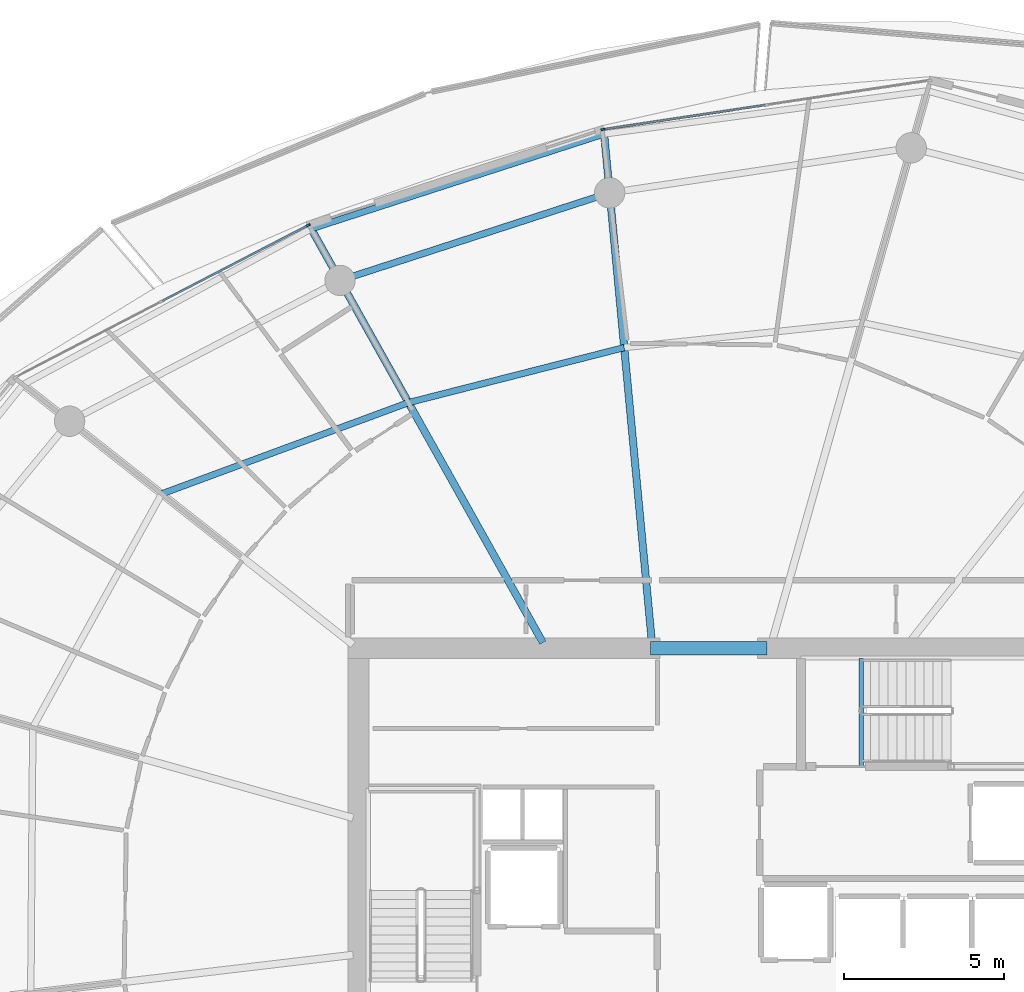
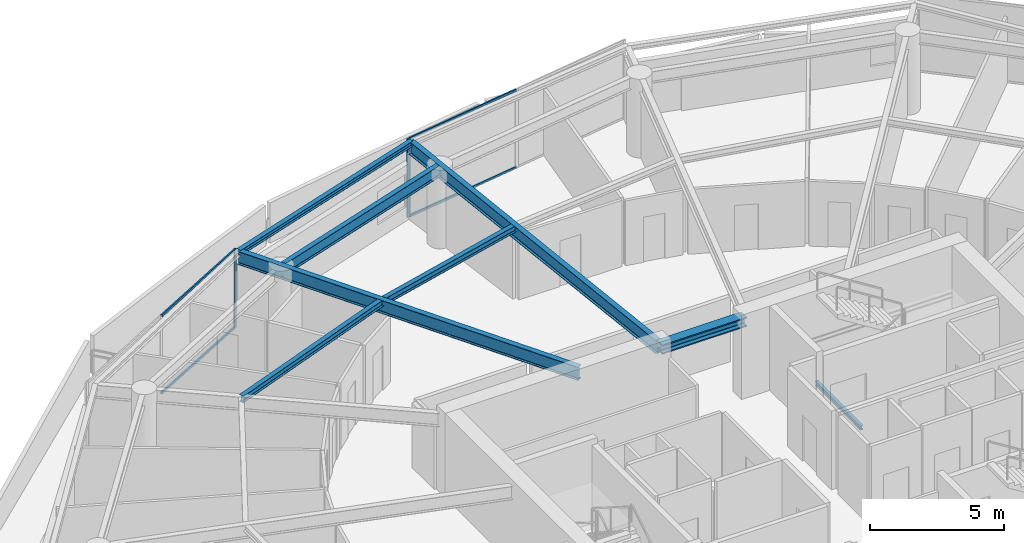
# One storey, part 13 of 30: 8 beams, 6 members, 2 elements without a shape of their own.
"""IFC4 building model written with IfcOpenShell, lengths in metres."""

from ifc_helpers import new_model, si_unit, direction, frame, origin, origin_2d, place, context, subcontext, project, spatial, rectangle, i_section, extrude, material, layer, layer_set, material_profile, profile_set, type_object, element, aggregate, save


model = new_model("IFC4")

# Units and contexts
model_context = context("Model", 3, precision=1e-05, world=origin(), true_north=direction((0.0, 1.0)))
body_context = subcontext(model_context, "Body", "Model", "MODEL_VIEW")
ifc_project = project(units=[si_unit("LENGTHUNIT", "METRE"), si_unit("AREAUNIT", "SQUARE_METRE"), si_unit("VOLUMEUNIT", "CUBIC_METRE"), si_unit("PLANEANGLEUNIT", "RADIAN"), si_unit("MASSUNIT", "GRAM", prefix="KILO")], contexts=[model_context])

# Site, building, storey
site_placement = place(None, origin())
site = spatial("IfcSite", under=ifc_project, at=site_placement, CompositionType="ELEMENT")
building_placement = place(site_placement, origin())
building = spatial("IfcBuilding", under=site, at=building_placement, Name="Kazma Halo Residences", CompositionType="ELEMENT")
storey_placement = place(building_placement, frame((0.0, 0.0, 244.39990234375)))
storey = spatial("IfcBuildingStorey", under=building, at=storey_placement, Name="L61", CompositionType="ELEMENT", Elevation=244.39990234375)

# Beams
ifc_material_1 = material(Name="Steel S355", Category="steel")
ifc_material_profile_1 = material_profile(ifc_material_1, i_section(OverallWidth=0.201904296875, OverallDepth=0.2470703125, WebThickness=0.00732421875, FlangeThickness=0.010986328125, FilletRadius=0.011962890625, at=origin_2d()), Name="W250x49.1")
ifc_profile_set_1 = profile_set([ifc_material_profile_1], Name="Steel S355")
beam_type_1 = type_object("IfcBeamType", Name="BM-BAL-CANT", PredefinedType="BEAM", material=ifc_profile_set_1)
beam_1_placement = place(storey_placement, frame((45.155517578125, 66.41259765625, 3.466552734375), z_axis=(-0.951357597741, -0.308088820344, 0.0), x_axis=(0.308088820344, -0.951357597741, 0.0)))
element("IfcBeam", 1, at=beam_1_placement, inside=storey, type_object=beam_type_1, Name="L61 wave-balcony tie beam 04", PredefinedType="BEAM", context=body_context, shape_type="SweptSolid", body=[
    extrude(i_section(OverallWidth=0.201904296875, OverallDepth=0.2470703125, WebThickness=0.00732421875, FlangeThickness=0.010986328125, FilletRadius=0.011962890625, at=origin_2d()), origin(), (0.0, 0.0, 1.0), 9.633544921875),
])
ifc_material_profile_2 = material_profile(ifc_material_1, i_section(OverallWidth=0.408935546875, OverallDepth=0.425048828125, WebThickness=0.03271484375, FlangeThickness=0.052490234375, FilletRadius=0.02001953125, at=origin_2d()), Name="W360x421")
ifc_profile_set_2 = profile_set([ifc_material_profile_2], Name="Steel S355")
beam_type_2 = type_object("IfcBeamType", Name="BM-CORE-W360H", PredefinedType="BEAM", material=ifc_profile_set_2)
beam_2_placement = place(storey_placement, frame((46.60009765625, 50.324951171875, 3.377685546875), z_axis=(1.0, 0.0, 0.0), x_axis=(0.0, 1.0, 0.0)))
element("IfcBeam", 2, at=beam_2_placement, inside=storey, type_object=beam_type_2, Name="L61 core coupling beam N", PredefinedType="BEAM", context=body_context, shape_type="SweptSolid", body=[
    extrude(i_section(OverallWidth=0.408935546875, OverallDepth=0.425048828125, WebThickness=0.03271484375, FlangeThickness=0.052490234375, FilletRadius=0.02001953125, at=origin_2d()), origin(), (0.0, 0.0, 1.0), 3.64990234375),
])
ifc_material_profile_3 = material_profile(ifc_material_1, i_section(OverallWidth=0.22802734375, OverallDepth=0.60791015625, WebThickness=0.01123046875, FlangeThickness=0.017333984375, FilletRadius=0.01806640625, at=origin_2d()), Name="W610x113")
ifc_profile_set_3 = profile_set([ifc_material_profile_3], Name="Steel S355")
beam_type_3 = type_object("IfcBeamType", Name="BM-RAD-W610", PredefinedType="BEAM", material=ifc_profile_set_3)
beam_3_placement = place(storey_placement, frame((46.64990234375, 50.5, 3.2861328125), z_axis=(-0.093500648044, 0.995619218786, 0.0), x_axis=(-0.995619218786, -0.093500648044, 0.0)))
element("IfcBeam", 3, at=beam_3_placement, inside=storey, type_object=beam_type_3, Name="L61 radial floor beam 04", PredefinedType="BEAM", context=body_context, shape_type="SweptSolid", body=[
    extrude(i_section(OverallWidth=0.22802734375, OverallDepth=0.60791015625, WebThickness=0.01123046875, FlangeThickness=0.017333984375, FilletRadius=0.01806640625, at=origin_2d()), origin(), (0.0, 0.0, 1.0), 15.982666015625),
])
beam_4_placement = place(storey_placement, frame((43.23974609375, 50.5, 3.2861328125), z_axis=(-0.488618902548, 0.872497316943, 0.0), x_axis=(-0.872497316943, -0.488618902548, 0.0)))
element("IfcBeam", 4, at=beam_4_placement, inside=storey, type_object=beam_type_3, Name="L61 radial floor beam 05", PredefinedType="BEAM", context=body_context, shape_type="SweptSolid", body=[
    extrude(i_section(OverallWidth=0.22802734375, OverallDepth=0.60791015625, WebThickness=0.01123046875, FlangeThickness=0.017333984375, FilletRadius=0.01806640625, at=origin_2d()), origin(), (0.0, 0.0, 1.0), 14.836181640625),
])
ifc_material_profile_4 = material_profile(ifc_material_1, i_section(OverallWidth=0.202880859375, OverallDepth=0.302978515625, WebThickness=0.007568359375, FlangeThickness=0.01318359375, FilletRadius=0.013916015625, at=origin_2d()), Name="W310x60")
ifc_profile_set_4 = profile_set([ifc_material_profile_4], Name="Steel S355")
beam_type_4 = type_object("IfcBeamType", Name="BM-SEC-W310A", PredefinedType="JOIST", material=ifc_profile_set_4)
beam_5_placement = place(storey_placement, frame((45.783203125, 59.7294921875, 3.4384765625), z_axis=(-0.968957746759, -0.2472263841, 0.0), x_axis=(0.2472263841, -0.968957746759, 0.0)))
element("IfcBeam", 5, at=beam_5_placement, inside=storey, type_object=beam_type_4, Name="L61 circumferential floor joist 04", PredefinedType="JOIST", context=body_context, shape_type="SweptSolid", body=[
    extrude(i_section(OverallWidth=0.202880859375, OverallDepth=0.302978515625, WebThickness=0.007568359375, FlangeThickness=0.01318359375, FilletRadius=0.013916015625, at=origin_2d()), origin(), (0.0, 0.0, 1.0), 6.9638671875),
])
beam_6_placement = place(storey_placement, frame((39.035400390625, 58.0078125, 3.4384765625), z_axis=(-0.937943961726, -0.346786857683, 0.0), x_axis=(0.346786857683, -0.937943961726, 0.0)))
element("IfcBeam", 6, at=beam_6_placement, inside=storey, type_object=beam_type_4, Name="L61 circumferential floor joist 05", PredefinedType="JOIST", context=body_context, shape_type="SweptSolid", body=[
    extrude(i_section(OverallWidth=0.202880859375, OverallDepth=0.302978515625, WebThickness=0.007568359375, FlangeThickness=0.01318359375, FilletRadius=0.013916015625, at=origin_2d()), origin(), (0.0, 0.0, 1.0), 8.231201171875),
])
ifc_material_profile_5 = material_profile(ifc_material_1, i_section(OverallWidth=0.208984375, OverallDepth=0.532958984375, WebThickness=0.01025390625, FlangeThickness=0.015625, FilletRadius=0.01611328125, at=origin_2d()), Name="W530x92")
ifc_profile_set_5 = profile_set([ifc_material_profile_5], Name="Steel S355")
beam_type_5 = type_object("IfcBeamType", Name="BM-SPN-W530", PredefinedType="BEAM", material=ifc_profile_set_5)
beam_7_placement = place(storey_placement, frame((45.32861328125, 64.57080078125, 3.323486328125), z_axis=(-0.951053893407, -0.309025066679, 0.0), x_axis=(0.309025066679, -0.951053893407, 0.0)))
element("IfcBeam", 7, at=beam_7_placement, inside=storey, type_object=beam_type_5, Name="L61 perimeter ring beam 04", PredefinedType="BEAM", context=body_context, shape_type="SweptSolid", body=[
    extrude(i_section(OverallWidth=0.208984375, OverallDepth=0.532958984375, WebThickness=0.01025390625, FlangeThickness=0.015625, FilletRadius=0.01611328125, at=origin_2d()), origin(), (0.0, 0.0, 1.0), 8.8681640625),
])
ifc_material_profile_6 = material_profile(ifc_material_1, i_section(OverallWidth=0.133056640625, OverallDepth=0.20703125, WebThickness=0.005859375, FlangeThickness=0.00830078125, FilletRadius=0.010009765625, at=origin_2d()), Name="W200x26.6")
ifc_profile_set_6 = profile_set([ifc_material_profile_6], Name="Steel S355")
beam_type_6 = type_object("IfcBeamType", Name="BM-TRIM-W200", PredefinedType="BEAM", material=ifc_profile_set_6)
beam_8_placement = place(storey_placement, frame((53.199951171875, 46.6201171875, -0.369873046875), z_axis=(0.0, 1.0, 0.0), x_axis=(-1.0, 0.0, 0.0)))
element("IfcBeam", 8, at=beam_8_placement, inside=storey, type_object=beam_type_6, Name="L61 ST-02 floor landing support beam", PredefinedType="BEAM", context=body_context, shape_type="SweptSolid", body=[
    extrude(i_section(OverallWidth=0.133056640625, OverallDepth=0.20703125, WebThickness=0.005859375, FlangeThickness=0.00830078125, FilletRadius=0.010009765625, at=origin_2d()), origin(), (0.0, 0.0, 1.0), 3.3798828125),
])

# Curtain wall, member
ifc_material_2 = material(Name="Aluminium AW-6063 T6 and Triple-Silver Low-E Glass", Category="aluminium")
ifc_layer = layer(ifc_material_2, 0.139892578125)
ifc_layer_set = layer_set([ifc_layer], Name="Aluminium AW-6063 T6 and Triple-Silver Low-E Glass")
curtain_wall_type = type_object("IfcCurtainWallType", Name="CW-SYS-5", PredefinedType="NOTDEFINED", material=ifc_layer_set)
curtain_wall_1_placement = place(storey_placement, origin())
curtain_wall_1 = element("IfcCurtainWall", 9, at=curtain_wall_1_placement, inside=storey, type_object=curtain_wall_type, Name="L61 unitised curtain wall B03", PredefinedType="NOTDEFINED")
ifc_material_3 = material(Name="Aluminium AW-6063 T6", Category="aluminium")
ifc_material_profile_7 = material_profile(ifc_material_3, rectangle(XDim=0.06005859375, YDim=0.139892578125, at=origin_2d()), Name="CWM-60x140")
ifc_profile_set_7 = profile_set([ifc_material_profile_7], Name="Aluminium AW-6063 T6")
member_type_1 = type_object("IfcMemberType", Name="CW-SYS-5-MUL", PredefinedType="MULLION", material=ifc_profile_set_7)
member_1_placement = place(storey_placement, frame((45.124267578125, 66.552734375, 0.0), z_axis=(0.0, 0.0, 1.0), x_axis=(0.148697080374, -0.988882792998, 0.0)))
member_1 = element("IfcMember", 10, at=member_1_placement, type_object=member_type_1, Name="CWS-5 mullion 3", PredefinedType="MULLION", context=body_context, shape_type="SweptSolid", body=[
    extrude(rectangle(XDim=0.06005859375, YDim=0.139892578125, at=origin_2d()), origin(), (0.0, 0.0, 1.0), 3.590087890625),
])

curtain_wall_2_placement = place(storey_placement, origin())
curtain_wall_2 = element("IfcCurtainWall", 11, at=curtain_wall_2_placement, inside=storey, type_object=curtain_wall_type, Name="L61 unitised curtain wall B05", PredefinedType="NOTDEFINED")
member_2_placement = place(storey_placement, frame((35.894775390625, 63.553955078125, 0.0), z_axis=(0.0, 0.0, 1.0), x_axis=(0.460960760804, -0.887420518694, 0.0)))
member_2 = element("IfcMember", 12, at=member_2_placement, type_object=member_type_1, Name="CWS-5 mullion 1", PredefinedType="MULLION", context=body_context, shape_type="SweptSolid", body=[
    extrude(rectangle(XDim=0.06005859375, YDim=0.139892578125, at=origin_2d()), origin(), (0.0, 0.0, 1.0), 3.590087890625),
])

# Member
ifc_material_profile_8 = material_profile(ifc_material_3, rectangle(XDim=0.06005859375, YDim=0.10498046875, at=origin_2d()), Name="CWT-60x105")
ifc_profile_set_8 = profile_set([ifc_material_profile_8], Name="Aluminium AW-6063 T6")
member_type_2 = type_object("IfcMemberType", Name="CW-SYS-5-TRN", PredefinedType="USERDEFINED", material=ifc_profile_set_8)
member_3_placement = place(storey_placement, frame((50.19677734375, 67.3154296875, 0.030029296875), z_axis=(-0.988882913569, -0.148696278541, 0.0), x_axis=(0.148696278541, -0.988882913569, 0.0)))
member_3 = element("IfcMember", 13, at=member_3_placement, type_object=member_type_2, Name="CWS-5 transom 2.1", ObjectType="TRANSOM", PredefinedType="USERDEFINED", context=body_context, shape_type="SweptSolid", body=[
    extrude(rectangle(XDim=0.06005859375, YDim=0.10498046875, at=origin_2d()), origin(), (0.0, 0.0, 1.0), 5.099609375),
])

member_4_placement = place(storey_placement, frame((50.19677734375, 67.3154296875, 3.56005859375), z_axis=(-0.988882913569, -0.148696278541, 0.0), x_axis=(0.148696278541, -0.988882913569, 0.0)))
member_4 = element("IfcMember", 14, at=member_4_placement, type_object=member_type_2, Name="CWS-5 transom 2.2", ObjectType="TRANSOM", PredefinedType="USERDEFINED", context=body_context, shape_type="SweptSolid", body=[
    extrude(rectangle(XDim=0.06005859375, YDim=0.10498046875, at=origin_2d()), origin(), (0.0, 0.0, 1.0), 5.099609375),
])

aggregate(curtain_wall_1, [member_1, member_3, member_4])

member_5_placement = place(storey_placement, frame((35.8681640625, 63.5400390625, 0.030029296875), z_axis=(-0.887436955863, -0.46092911534, 0.0), x_axis=(0.46092911534, -0.887436955863, 0.0)))
member_5 = element("IfcMember", 15, at=member_5_placement, type_object=member_type_2, Name="CWS-5 transom 1.1", ObjectType="TRANSOM", PredefinedType="USERDEFINED", context=body_context, shape_type="SweptSolid", body=[
    extrude(rectangle(XDim=0.06005859375, YDim=0.10498046875, at=origin_2d()), origin(), (0.0, 0.0, 1.0), 5.099609375),
])

member_6_placement = place(storey_placement, frame((35.8681640625, 63.5400390625, 3.56005859375), z_axis=(-0.887436955863, -0.46092911534, 0.0), x_axis=(0.46092911534, -0.887436955863, 0.0)))
member_6 = element("IfcMember", 16, at=member_6_placement, type_object=member_type_2, Name="CWS-5 transom 1.2", ObjectType="TRANSOM", PredefinedType="USERDEFINED", context=body_context, shape_type="SweptSolid", body=[
    extrude(rectangle(XDim=0.06005859375, YDim=0.10498046875, at=origin_2d()), origin(), (0.0, 0.0, 1.0), 5.099609375),
])

aggregate(curtain_wall_2, [member_2, member_5, member_6])

save(model, "model.ifc")
